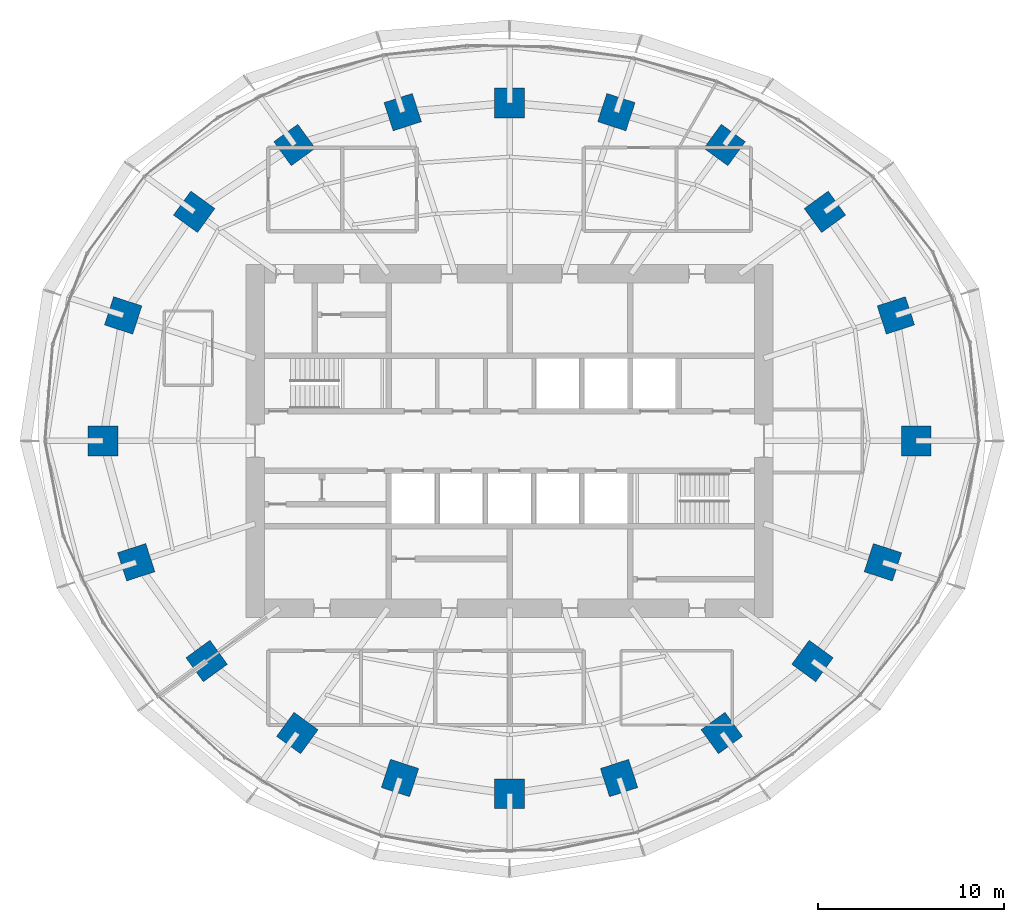
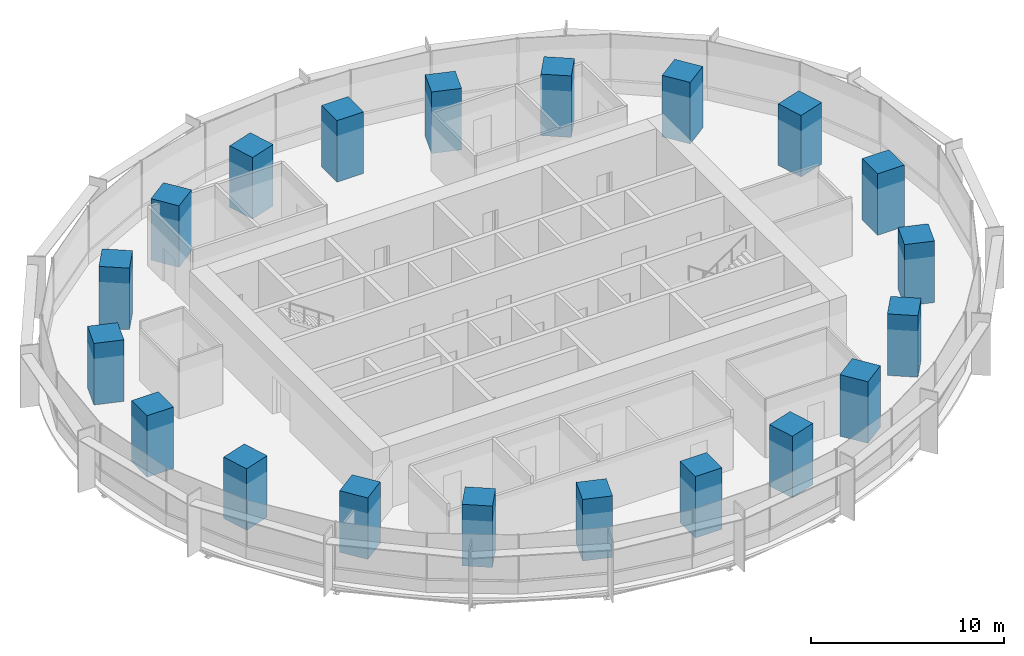
# One storey, part 1 of 14: 20 columns.
"""IFC4 building model written with IfcOpenShell, lengths in metres."""

from ifc_helpers import new_model, si_unit, direction, frame, origin, origin_2d, place, context, subcontext, project, spatial, rectangle, extrude, material, material_profile, profile_set, type_object, element, save


model = new_model("IFC4")

# Units and contexts
model_context = context("Model", 3, precision=1e-05, world=origin(), true_north=direction((0.0, 1.0)))
body_context = subcontext(model_context, "Body", "Model", "MODEL_VIEW")
ifc_project = project(units=[si_unit("LENGTHUNIT", "METRE"), si_unit("AREAUNIT", "SQUARE_METRE"), si_unit("VOLUMEUNIT", "CUBIC_METRE"), si_unit("PLANEANGLEUNIT", "RADIAN"), si_unit("MASSUNIT", "GRAM", prefix="KILO")], contexts=[model_context])

# Site, building, storey
site_placement = place(None, origin())
site = spatial("IfcSite", under=ifc_project, at=site_placement, CompositionType="ELEMENT")
building_placement = place(site_placement, origin())
building = spatial("IfcBuilding", under=site, at=building_placement, Name="Marramba Exchange Tower", CompositionType="ELEMENT")
storey_placement = place(building_placement, frame((0.0, 0.0, 139.199951171875)))
storey = spatial("IfcBuildingStorey", under=building, at=storey_placement, Name="L33", CompositionType="ELEMENT", Elevation=139.199951171875)

# Columns
ifc_material = material(Name="Concrete N50", Category="concrete")
ifc_material_profile = material_profile(ifc_material, rectangle(XDim=1.60009765625, YDim=1.60009765625, at=origin_2d()), Name="RC 1600x1600")
ifc_profile_set = profile_set([ifc_material_profile], Name="Concrete N50")
column_type = type_object("IfcColumnType", Name="Perimeter column RC 1600x1600 N50", PredefinedType="COLUMN", material=ifc_profile_set)
for number, where, z_axis, x_axis, name in (
    (1, (21.89990234375, 0.0, 0.0), (0.0, 0.0, 1.0), (1.0, 0.0, 0.0), "Column TC01 L33"),
    (2, (20.808349609375, 6.760986328125, 0.0), (0.0, 0.0, 1.0), (0.951056516295, 0.309016994375, 0.0), "Column TC02 L33"),
    (3, (16.98583984375, 12.3408203125, 0.0), (0.0, 0.0, 1.0), (0.809016994375, 0.587785252292, 0.0), "Column TC03 L33"),
    (4, (11.581298828125, 15.9404296875, 0.0), (0.0, 0.0, 1.0), (0.587785252292, 0.809016994375, 0.0), "Column TC04 L33"),
    (5, (5.75390625, 17.70849609375, 0.0), (0.0, 0.0, 1.0), (0.309016994375, 0.951056516295, 0.0), "Column TC05 L33"),
    (6, (0.0, 18.2041015625, 0.0), (0.0, 0.0, 1.0), (0.0, 1.0, 0.0), "Column TC06 L33"),
    (7, (-5.75390625, 17.70849609375, 0.0), (0.0, 0.0, 1.0), (-0.309016994375, 0.951056516295, 0.0), "Column TC07 L33"),
    (8, (-11.581298828125, 15.9404296875, 0.0), (0.0, 0.0, 1.0), (-0.587785252292, 0.809016994375, 0.0), "Column TC08 L33"),
    (9, (-16.98583984375, 12.3408203125, 0.0), (0.0, 0.0, 1.0), (-0.809016994375, 0.587785252292, 0.0), "Column TC09 L33"),
    (10, (-20.808349609375, 6.760986328125, 0.0), (0.0, 0.0, 1.0), (-0.951056516295, 0.309016994375, 0.0), "Column TC10 L33"),
    (11, (-21.89990234375, 0.0, 0.0), (0.0, 0.0, 1.0), (-1.0, 0.0, 0.0), "Column TC11 L33"),
    (12, (-20.109375, -6.533935546875, 0.0), (0.0, 0.0, 1.0), (-0.951056516295, -0.309016994375, 0.0), "Column TC12 L33"),
    (13, (-16.3154296875, -11.853759765625, 0.0), (0.0, 0.0, 1.0), (-0.809016994375, -0.587785252292, 0.0), "Column TC13 L33"),
    (14, (-11.430419921875, -15.732666015625, 0.0), (0.0, 0.0, 1.0), (-0.587785252292, -0.809016994375, 0.0), "Column TC14 L33"),
    (15, (-5.899658203125, -18.156982421875, 0.0), (0.0, 0.0, 1.0), (-0.309016994375, -0.951056516295, 0.0), "Column TC15 L33"),
    (16, (0.0, -18.99609375, 0.0), (0.0, 0.0, 1.0), (0.0, -1.0, 0.0), "Column TC16 L33"),
    (17, (5.899658203125, -18.156982421875, 0.0), (0.0, 0.0, 1.0), (0.309016994375, -0.951056516295, 0.0), "Column TC17 L33"),
    (18, (11.430419921875, -15.732666015625, 0.0), (0.0, 0.0, 1.0), (0.587785252292, -0.809016994375, 0.0), "Column TC18 L33"),
    (19, (16.3154296875, -11.853759765625, 0.0), (0.0, 0.0, 1.0), (0.809016994375, -0.587785252292, 0.0), "Column TC19 L33"),
    (20, (20.109375, -6.533935546875, 0.0), (0.0, 0.0, 1.0), (0.951056516295, -0.309016994375, 0.0), "Column TC20 L33"),
):
    element("IfcColumn", number, at=place(storey_placement, frame(where, z_axis=z_axis, x_axis=x_axis)), inside=storey, type_object=column_type, Name=name, PredefinedType="COLUMN", context=body_context, shape_type="SweptSolid", body=[
        extrude(rectangle(XDim=1.60009765625, YDim=1.60009765625, at=origin_2d()), origin(), (0.0, 0.0, 1.0), 3.900146484375),
    ])

save(model, "model.ifc")
